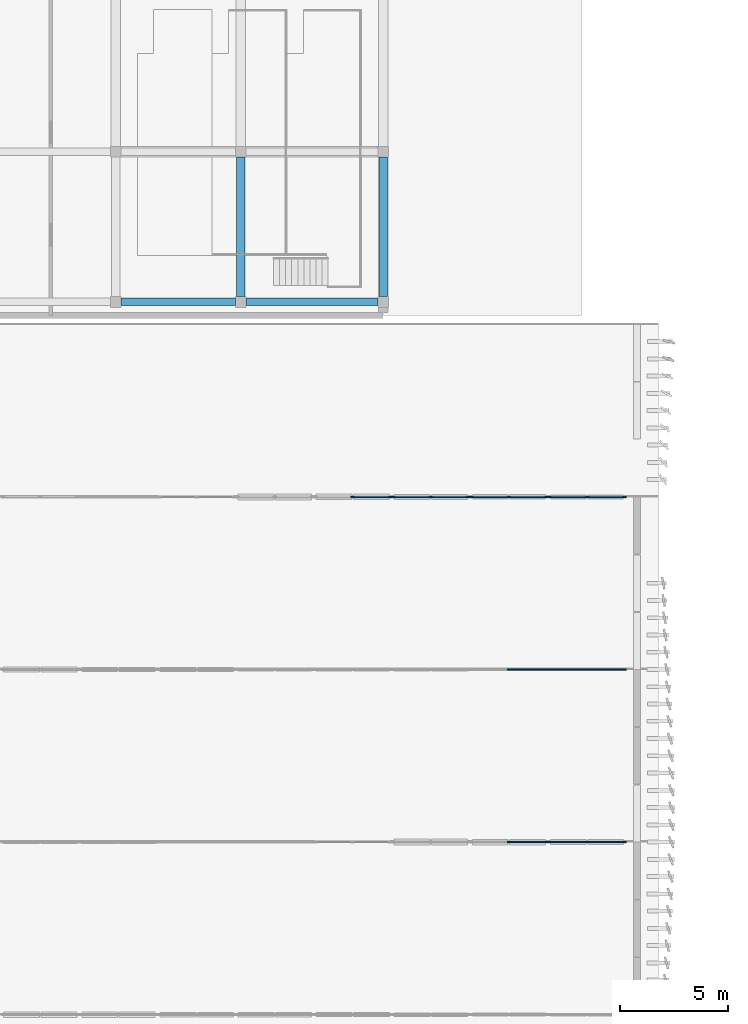
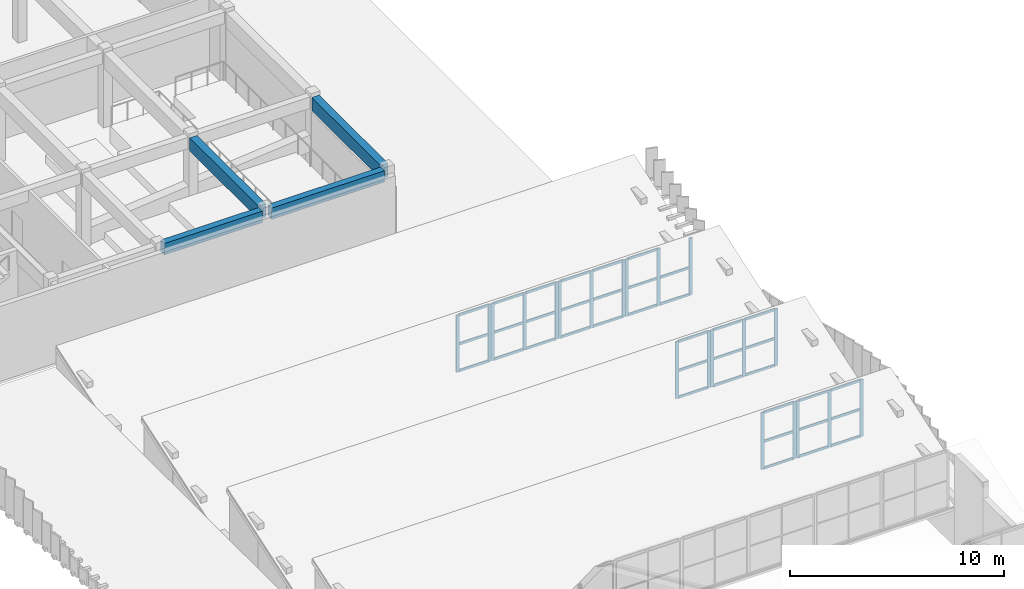
# One storey, part 10 of 45: 59 members, 4 beams, 8 elements without a shape of their own.
"""IFC4 building model written with IfcOpenShell, lengths in metres."""

import ifcopenshell
import ifcopenshell.guid

model = None  # the IFC model being written
_history = None  # IfcOwnerHistory: only IFC2X3 demands one
_inside = {}  # id of a spatial element -> (the spatial element, [elements in it])
_under = {}  # id of a project, library or spatial element -> (it, [spatial elements below it])
_declared = {}  # id of a project -> (the project, [libraries it declares])
_typed = {}  # id of a type object -> (the type object, [elements of that type])
_made_of = {}  # id of a material, layer set ... -> (it, [elements and type objects made of it])


def new_model(schema):
    """Start an empty IFC model of exactly this schema.

    Asked for "IFC4X3", IfcOpenShell would pick the latest addendum, in which some entities
    have other attributes; the version numbers below select the first issue.
    IFC2X3 requires an IfcOwnerHistory on every rooted entity: one is made here for all.
    """
    global model, _history
    if schema == "IFC4X3":
        model = ifcopenshell.file(schema_version=(4, 3, 0, 0))
    else:
        model = ifcopenshell.file(schema=schema)
    _inside.clear()
    _under.clear()
    _declared.clear()
    _typed.clear()
    _made_of.clear()
    _history = None
    if model.schema == "IFC2X3":
        org = make("IfcOrganization", Name="unknown")
        user = make(
            "IfcPersonAndOrganization",
            ThePerson=make("IfcPerson", FamilyName="unknown"),
            TheOrganization=org,
        )
        app = make(
            "IfcApplication",
            ApplicationDeveloper=org,
            Version="unknown",
            ApplicationFullName="unknown",
            ApplicationIdentifier="unknown",
        )
        _history = make(
            "IfcOwnerHistory",
            OwningUser=user,
            OwningApplication=app,
            ChangeAction="ADDED",
            CreationDate=0,
        )
    return model


def make(cls, **values):
    """One entity of the class cls with the attributes given. An attribute that is None is left unset."""
    return model.create_entity(
        cls, **{name: value for name, value in values.items() if value is not None}
    )


def rooted(cls, **values):
    """An entity with a GlobalId (a new one), such as an element, a storey or a relation."""
    return make(cls, GlobalId=ifcopenshell.guid.new(), OwnerHistory=_history, **values)


def si_unit(unit_type, name, prefix=None):
    """IfcSIUnit, for example si_unit("LENGTHUNIT", "METRE", prefix="MILLI")."""
    return make("IfcSIUnit", UnitType=unit_type, Prefix=prefix, Name=name)


def assignment(units):
    """IfcUnitAssignment: the units of a project."""
    return None if units is None else make("IfcUnitAssignment", Units=units)


def point(xyz):
    """IfcCartesianPoint."""
    return None if xyz is None else make("IfcCartesianPoint", Coordinates=xyz)


def direction(xyz):
    """IfcDirection."""
    return None if xyz is None else make("IfcDirection", DirectionRatios=xyz)


def frame(location, z_axis=None, x_axis=None):
    """IfcAxis2Placement3D, a coordinate frame: its origin and axes. An axis left out is left unset."""
    return make(
        "IfcAxis2Placement3D",
        Location=point(location),
        Axis=direction(z_axis),
        RefDirection=direction(x_axis),
    )


def frame_2d(location, x_axis=None):
    """IfcAxis2Placement2D, a coordinate frame in the plane: its origin and x axis."""
    return make(
        "IfcAxis2Placement2D", Location=point(location), RefDirection=direction(x_axis)
    )


def origin():
    """The frame at (0, 0, 0) with its axes left unset."""
    return frame((0.0, 0.0, 0.0))


def origin_2d():
    """The frame at (0, 0) in the plane with its x axis left unset."""
    return frame_2d((0.0, 0.0))


def place(relative_to, where):
    """IfcLocalPlacement: puts the frame where relative to a parent placement (None: the world)."""
    return make(
        "IfcLocalPlacement", PlacementRelTo=relative_to, RelativePlacement=where
    )


def context(
    kind, dimensions, precision=None, world=None, true_north=None, identifier=None
):
    """IfcGeometricRepresentationContext, for example the 3D "Model" context."""
    return make(
        "IfcGeometricRepresentationContext",
        ContextIdentifier=identifier,
        ContextType=kind,
        CoordinateSpaceDimension=dimensions,
        Precision=precision,
        WorldCoordinateSystem=world,
        TrueNorth=true_north,
    )


def subcontext(parent, identifier, kind, view, scale=None):
    """IfcGeometricRepresentationSubContext, for example "Body" below "Model"."""
    return make(
        "IfcGeometricRepresentationSubContext",
        ContextIdentifier=identifier,
        ContextType=kind,
        ParentContext=parent,
        TargetScale=scale,
        TargetView=view,
    )


def project(units=None, contexts=None):
    """IfcProject with its units and contexts."""
    return rooted(
        "IfcProject",
        Name="project",
        RepresentationContexts=contexts,
        UnitsInContext=assignment(units),
    )


def spatial(cls, under=None, at=None, **own):
    """A site, building, storey or space (cls), placed at a placement, below another one or the project."""
    s = rooted(cls, ObjectPlacement=at, **own)
    if under is not None:
        _under.setdefault(under.id(), (under, []))[1].append(s)
    return s


def profile(cls, at=None, kind="AREA", **sizes):
    """A parametric profile (cls). Its sizes go by their IFC names, for example OverallWidth=200.0."""
    return make(cls, ProfileType=kind, Position=at, **sizes)


def rectangle(**sizes):
    """IfcRectangleProfileDef."""
    return profile("IfcRectangleProfileDef", **sizes)


def extrude(swept, where, along, depth):
    """IfcExtrudedAreaSolid: the profile swept, set in the frame where, extruded along a direction by depth."""
    return make(
        "IfcExtrudedAreaSolid",
        SweptArea=swept,
        Position=where,
        ExtrudedDirection=direction(along),
        Depth=depth,
    )


def shape(context_of_items, identifier, shape_type, items):
    """IfcShapeRepresentation: the items that make up one representation, for example the "Body"."""
    return make(
        "IfcShapeRepresentation",
        ContextOfItems=context_of_items,
        RepresentationIdentifier=identifier,
        RepresentationType=shape_type,
        Items=items,
    )


def material(Name=None, Category=None):
    """IfcMaterial."""
    return make("IfcMaterial", Name=Name, Category=Category)


def layer(
    of_material, thickness, ventilated=None, Name=None, Category=None, Priority=None
):
    """IfcMaterialLayer: one layer of a wall or slab, of a material (None: an air gap)."""
    return make(
        "IfcMaterialLayer",
        Material=of_material,
        LayerThickness=thickness,
        IsVentilated=ventilated,
        Name=Name,
        Category=Category,
        Priority=Priority,
    )


def layer_set(layers, Name=None):
    """IfcMaterialLayerSet."""
    return make("IfcMaterialLayerSet", MaterialLayers=layers, LayerSetName=Name)


def material_profile(
    of_material, cross_section, Name=None, Category=None, Priority=None
):
    """IfcMaterialProfile: a cross section and its material."""
    return make(
        "IfcMaterialProfile",
        Name=Name,
        Material=of_material,
        Profile=cross_section,
        Priority=Priority,
        Category=Category,
    )


def profile_set(profiles, Name=None, composite=None):
    """IfcMaterialProfileSet."""
    return make(
        "IfcMaterialProfileSet",
        Name=Name,
        MaterialProfiles=profiles,
        CompositeProfile=composite,
    )


def made_of(thing, what):
    """Note that an element or type object is made of a material, layer set ...; save() writes the relation."""
    if what is not None:
        _made_of.setdefault(what.id(), (what, []))[1].append(thing)
    return thing


def type_object(cls, material=None, **own):
    """A type object (cls), such as IfcWallType, which elements share."""
    return made_of(rooted(cls, **own), material)


def element(
    cls,
    number,
    at=None,
    inside=None,
    cuts=None,
    type_object=None,
    material=None,
    context=None,
    identifier="Body",
    shape_type=None,
    held_by="IfcProductDefinitionShape",
    body=None,
    shapes=None,
    **own,
):
    """One element of the class cls, such as IfcWall. Its Tag is "e" and its number.

    at: its placement. inside: the storey or other place that contains it. cuts: it is an
    opening in that element (IfcRelVoidsElement). A single representation is given by context,
    identifier, shape_type and body (its items); several are given by shapes. held_by: the class
    of the entity that holds the representations. save() writes the other relations.
    """
    e = rooted(cls, Tag="e%d" % number, ObjectPlacement=at, **own)
    if body is not None:
        shapes = [shape(context, identifier, shape_type, body)]
    if shapes is not None:
        e.Representation = make(held_by, Representations=shapes)
    if inside is not None:
        _inside.setdefault(inside.id(), (inside, []))[1].append(e)
    if cuts is not None:
        rooted(
            "IfcRelVoidsElement", RelatingBuildingElement=cuts, RelatedOpeningElement=e
        )
    if type_object is not None:
        _typed.setdefault(type_object.id(), (type_object, []))[1].append(e)
    return made_of(e, material)


def aggregate(whole, parts):
    """IfcRelAggregates: a whole, such as a stair, and the parts it consists of."""
    return rooted("IfcRelAggregates", RelatingObject=whole, RelatedObjects=parts)


def save(model, path):
    """Write the relations noted so far, then the file.

    IfcRelAggregates (storeys below a building ...), IfcRelContainedInSpatialStructure (elements
    in a storey), IfcRelDefinesByType, IfcRelAssociatesMaterial and IfcRelDeclares: one each for
    every whole, place, type object, material and project.
    """
    for whole, parts in _under.values():
        aggregate(whole, parts)
    for where, things in _inside.values():
        rooted(
            "IfcRelContainedInSpatialStructure",
            RelatedElements=things,
            RelatingStructure=where,
        )
    for kind, things in _typed.values():
        rooted("IfcRelDefinesByType", RelatedObjects=things, RelatingType=kind)
    for what, things in _made_of.values():
        rooted("IfcRelAssociatesMaterial", RelatedObjects=things, RelatingMaterial=what)
    for by, libraries in _declared.values():
        rooted("IfcRelDeclares", RelatingContext=by, RelatedDefinitions=libraries)
    model.write(path)


model = new_model("IFC4")

# Units and contexts
model_context = context("Model", 3, precision=1e-05, world=origin(), true_north=direction((0.0, 1.0)))
body_context = subcontext(model_context, "Body", "Model", "MODEL_VIEW")
ifc_project = project(units=[si_unit("LENGTHUNIT", "METRE"), si_unit("AREAUNIT", "SQUARE_METRE"), si_unit("VOLUMEUNIT", "CUBIC_METRE"), si_unit("PLANEANGLEUNIT", "RADIAN"), si_unit("MASSUNIT", "GRAM", prefix="KILO")], contexts=[model_context])

# Site, building, storey
site_placement = place(None, origin())
site = spatial("IfcSite", under=ifc_project, at=site_placement, CompositionType="ELEMENT")
building_placement = place(site_placement, origin())
building = spatial("IfcBuilding", under=site, at=building_placement, Name="Cinchona Park Media Centre", CompositionType="ELEMENT")
storey_placement = place(building_placement, frame((0.0, 0.0, 20.39990234375)))
storey = spatial("IfcBuildingStorey", under=building, at=storey_placement, Name="L04", CompositionType="ELEMENT", Elevation=20.39990234375)

# Beams
ifc_material_1 = material(Name="Concrete C35/45", Category="concrete")
ifc_material_profile_1 = material_profile(ifc_material_1, rectangle(XDim=0.39990234375, YDim=0.75, at=origin_2d()), Name="RB 400X750")
ifc_profile_set_1 = profile_set([ifc_material_profile_1], Name="Concrete C35/45")
beam_type_1 = type_object("IfcBeamType", Name="BEAM-B01-RB400X750", PredefinedType="BEAM", material=ifc_profile_set_1)
for number, where, z_axis, x_axis, name in (
    (1, (27.0, 64.889892578125, 3.905029296875), (0.0, 1.0, 0.0), (-1.0, 0.0, 0.0), "Girder B01 L04"),
    (2, (33.60009765625, 64.889892578125, 3.905029296875), (0.0, 1.0, 0.0), (-1.0, 0.0, 0.0), "Girder B01 L04"),
):
    element("IfcBeam", number, at=place(storey_placement, frame(where, z_axis=z_axis, x_axis=x_axis)), inside=storey, type_object=beam_type_1, Name=name, PredefinedType="BEAM", context=body_context, shape_type="SweptSolid", body=[
        extrude(rectangle(XDim=0.39990234375, YDim=0.75, at=origin_2d()), origin(), (0.0, 0.0, 1.0), 6.460205078125),
    ])
ifc_material_2 = material(Name="Concrete C35/45", Category="concrete")
ifc_material_profile_2 = material_profile(ifc_material_2, rectangle(XDim=0.35009765625, YDim=0.64990234375, at=origin_2d()), Name="RB 350X650")
ifc_profile_set_2 = profile_set([ifc_material_profile_2], Name="Concrete C35/45")
beam_type_2 = type_object("IfcBeamType", Name="BEAM-B04-RB350X650", PredefinedType="BEAM", material=ifc_profile_set_2)
beam_1_placement = place(storey_placement, frame((21.449951171875, 64.639892578125, 3.955078125), z_axis=(1.0, 0.0, 0.0), x_axis=(0.0, 1.0, 0.0)))
element("IfcBeam", 3, at=beam_1_placement, inside=storey, type_object=beam_type_2, Name="Beam B04 L04", PredefinedType="BEAM", context=body_context, shape_type="SweptSolid", body=[
    extrude(rectangle(XDim=0.35009765625, YDim=0.64990234375, at=origin_2d()), origin(), (0.0, 0.0, 1.0), 5.300048828125),
])
beam_2_placement = place(storey_placement, frame((27.25, 64.639892578125, 3.955078125), z_axis=(1.0, 0.0, 0.0), x_axis=(0.0, 1.0, 0.0)))
element("IfcBeam", 4, at=beam_2_placement, inside=storey, type_object=beam_type_2, Name="Beam B04 L04", PredefinedType="BEAM", context=body_context, shape_type="SweptSolid", body=[
    extrude(rectangle(XDim=0.35009765625, YDim=0.64990234375, at=origin_2d()), origin(), (0.0, 0.0, 1.0), 6.10009765625),
])

# Curtain wall, members
ifc_material_3 = material(Name="Aluminium Curtain Wall Framing", Category="aluminium")
ifc_layer = layer(ifc_material_3, 0.31494140625)
ifc_layer_set = layer_set([ifc_layer], Name="Aluminium Curtain Wall Framing")
curtain_wall_type = type_object("IfcCurtainWallType", Name="CW-CW10", PredefinedType="USERDEFINED", material=ifc_layer_set)
curtain_wall_1_placement = place(storey_placement, origin())
curtain_wall_1 = element("IfcCurtainWall", 5, at=curtain_wall_1_placement, inside=storey, type_object=curtain_wall_type, Name="North-Light Sawtooth Clerestory V1 Bay 4.1 CW10 L04", ObjectType="UNITISED CURTAIN WALL", PredefinedType="USERDEFINED")
ifc_material_4 = material(Name="Anodised Aluminium Alloy 6063-T6", Category="aluminium")
ifc_material_profile_3 = material_profile(ifc_material_4, rectangle(XDim=0.070068359375, YDim=0.179931640625, at=origin_2d()), Name="MUL-70X180")
ifc_profile_set_3 = profile_set([ifc_material_profile_3], Name="Anodised Aluminium Alloy 6063-T6")
member_type_1 = type_object("IfcMemberType", Name="MULLION-MUL02", PredefinedType="MULLION", material=ifc_profile_set_3)
member_1_placement = place(storey_placement, frame((44.784912109375, 39.60009765625, 0.18017578125), z_axis=(0.0, 0.0, 1.0), x_axis=(0.0, -1.0, 0.0)))
member_1 = element("IfcMember", 6, at=member_1_placement, type_object=member_type_1, Name="CW10 mullion 1", PredefinedType="MULLION", context=body_context, shape_type="SweptSolid", body=[
    extrude(rectangle(XDim=0.070068359375, YDim=0.179931640625, at=origin_2d()), origin(), (0.0, 0.0, 1.0), 3.2568359375),
])
member_2_placement = place(storey_placement, frame((43.050048828125, 39.60009765625, 0.18017578125), z_axis=(0.0, 0.0, 1.0), x_axis=(0.0, -1.0, 0.0)))
member_2 = element("IfcMember", 7, at=member_2_placement, type_object=member_type_1, Name="CW10 mullion 2", PredefinedType="MULLION", context=body_context, shape_type="SweptSolid", body=[
    extrude(rectangle(XDim=0.070068359375, YDim=0.179931640625, at=origin_2d()), origin(), (0.0, 0.0, 1.0), 3.2568359375),
])
member_3_placement = place(storey_placement, frame((41.31494140625, 39.60009765625, 0.18017578125), z_axis=(0.0, 0.0, 1.0), x_axis=(0.0, -1.0, 0.0)))
member_3 = element("IfcMember", 8, at=member_3_placement, type_object=member_type_1, Name="CW10 mullion 3", PredefinedType="MULLION", context=body_context, shape_type="SweptSolid", body=[
    extrude(rectangle(XDim=0.070068359375, YDim=0.179931640625, at=origin_2d()), origin(), (0.0, 0.0, 1.0), 3.2568359375),
])

curtain_wall_2_placement = place(storey_placement, origin())
curtain_wall_2 = element("IfcCurtainWall", 9, at=curtain_wall_2_placement, inside=storey, type_object=curtain_wall_type, Name="North-Light Sawtooth Clerestory V1 Bay 4.2 CW10 L04", ObjectType="UNITISED CURTAIN WALL", PredefinedType="USERDEFINED")
member_4_placement = place(storey_placement, frame((41.1650390625, 39.60009765625, 0.18017578125), z_axis=(0.0, 0.0, 1.0), x_axis=(0.0, -1.0, 0.0)))
member_4 = element("IfcMember", 10, at=member_4_placement, type_object=member_type_1, Name="CW10 mullion 1", PredefinedType="MULLION", context=body_context, shape_type="SweptSolid", body=[
    extrude(rectangle(XDim=0.070068359375, YDim=0.179931640625, at=origin_2d()), origin(), (0.0, 0.0, 1.0), 3.2568359375),
])
member_5_placement = place(storey_placement, frame((39.429931640625, 39.60009765625, 0.18017578125), z_axis=(0.0, 0.0, 1.0), x_axis=(0.0, -1.0, 0.0)))
member_5 = element("IfcMember", 11, at=member_5_placement, type_object=member_type_1, Name="CW10 mullion 2", PredefinedType="MULLION", context=body_context, shape_type="SweptSolid", body=[
    extrude(rectangle(XDim=0.070068359375, YDim=0.179931640625, at=origin_2d()), origin(), (0.0, 0.0, 1.0), 3.2568359375),
])

curtain_wall_3_placement = place(storey_placement, origin())
curtain_wall_3 = element("IfcCurtainWall", 12, at=curtain_wall_3_placement, inside=storey, type_object=curtain_wall_type, Name="North-Light Sawtooth Clerestory V1 Bay 5.1 CW10 L04", ObjectType="UNITISED CURTAIN WALL", PredefinedType="USERDEFINED")
member_6_placement = place(storey_placement, frame((44.784912109375, 47.60009765625, -0.619873046875), z_axis=(0.0, 0.0, 1.0), x_axis=(0.0, -1.0, 0.0)))
member_6 = element("IfcMember", 13, at=member_6_placement, type_object=member_type_1, Name="CW10 mullion 1", PredefinedType="MULLION", context=body_context, shape_type="SweptSolid", body=[
    extrude(rectangle(XDim=0.070068359375, YDim=0.179931640625, at=origin_2d()), origin(), (0.0, 0.0, 1.0), 3.257080078125),
])
member_7_placement = place(storey_placement, frame((43.050048828125, 47.60009765625, -0.619873046875), z_axis=(0.0, 0.0, 1.0), x_axis=(0.0, -1.0, 0.0)))
member_7 = element("IfcMember", 14, at=member_7_placement, type_object=member_type_1, Name="CW10 mullion 2", PredefinedType="MULLION", context=body_context, shape_type="SweptSolid", body=[
    extrude(rectangle(XDim=0.070068359375, YDim=0.179931640625, at=origin_2d()), origin(), (0.0, 0.0, 1.0), 3.257080078125),
])
member_8_placement = place(storey_placement, frame((41.31494140625, 47.60009765625, -0.619873046875), z_axis=(0.0, 0.0, 1.0), x_axis=(0.0, -1.0, 0.0)))
member_8 = element("IfcMember", 15, at=member_8_placement, type_object=member_type_1, Name="CW10 mullion 3", PredefinedType="MULLION", context=body_context, shape_type="SweptSolid", body=[
    extrude(rectangle(XDim=0.070068359375, YDim=0.179931640625, at=origin_2d()), origin(), (0.0, 0.0, 1.0), 3.257080078125),
])

curtain_wall_4_placement = place(storey_placement, origin())
curtain_wall_4 = element("IfcCurtainWall", 16, at=curtain_wall_4_placement, inside=storey, type_object=curtain_wall_type, Name="North-Light Sawtooth Clerestory V1 Bay 5.2 CW10 L04", ObjectType="UNITISED CURTAIN WALL", PredefinedType="USERDEFINED")
member_9_placement = place(storey_placement, frame((41.1650390625, 47.60009765625, -0.619873046875), z_axis=(0.0, 0.0, 1.0), x_axis=(0.0, -1.0, 0.0)))
member_9 = element("IfcMember", 17, at=member_9_placement, type_object=member_type_1, Name="CW10 mullion 1", PredefinedType="MULLION", context=body_context, shape_type="SweptSolid", body=[
    extrude(rectangle(XDim=0.070068359375, YDim=0.179931640625, at=origin_2d()), origin(), (0.0, 0.0, 1.0), 3.257080078125),
])
member_10_placement = place(storey_placement, frame((39.429931640625, 47.60009765625, -0.619873046875), z_axis=(0.0, 0.0, 1.0), x_axis=(0.0, -1.0, 0.0)))
member_10 = element("IfcMember", 18, at=member_10_placement, type_object=member_type_1, Name="CW10 mullion 2", PredefinedType="MULLION", context=body_context, shape_type="SweptSolid", body=[
    extrude(rectangle(XDim=0.070068359375, YDim=0.179931640625, at=origin_2d()), origin(), (0.0, 0.0, 1.0), 3.257080078125),
])

curtain_wall_5_placement = place(storey_placement, origin())
curtain_wall_5 = element("IfcCurtainWall", 19, at=curtain_wall_5_placement, inside=storey, type_object=curtain_wall_type, Name="North-Light Sawtooth Clerestory V1 Bay 6.1 CW10 L04", ObjectType="UNITISED CURTAIN WALL", PredefinedType="USERDEFINED")
member_11_placement = place(storey_placement, frame((44.784912109375, 55.60009765625, -1.419921875), z_axis=(0.0, 0.0, 1.0), x_axis=(0.0, -1.0, 0.0)))
member_11 = element("IfcMember", 20, at=member_11_placement, type_object=member_type_1, Name="CW10 mullion 1", PredefinedType="MULLION", context=body_context, shape_type="SweptSolid", body=[
    extrude(rectangle(XDim=0.070068359375, YDim=0.179931640625, at=origin_2d()), origin(), (0.0, 0.0, 1.0), 3.257080078125),
])
member_12_placement = place(storey_placement, frame((43.050048828125, 55.60009765625, -1.419921875), z_axis=(0.0, 0.0, 1.0), x_axis=(0.0, -1.0, 0.0)))
member_12 = element("IfcMember", 21, at=member_12_placement, type_object=member_type_1, Name="CW10 mullion 2", PredefinedType="MULLION", context=body_context, shape_type="SweptSolid", body=[
    extrude(rectangle(XDim=0.070068359375, YDim=0.179931640625, at=origin_2d()), origin(), (0.0, 0.0, 1.0), 3.257080078125),
])
member_13_placement = place(storey_placement, frame((41.31494140625, 55.60009765625, -1.419921875), z_axis=(0.0, 0.0, 1.0), x_axis=(0.0, -1.0, 0.0)))
member_13 = element("IfcMember", 22, at=member_13_placement, type_object=member_type_1, Name="CW10 mullion 3", PredefinedType="MULLION", context=body_context, shape_type="SweptSolid", body=[
    extrude(rectangle(XDim=0.070068359375, YDim=0.179931640625, at=origin_2d()), origin(), (0.0, 0.0, 1.0), 3.257080078125),
])

curtain_wall_6_placement = place(storey_placement, origin())
curtain_wall_6 = element("IfcCurtainWall", 23, at=curtain_wall_6_placement, inside=storey, type_object=curtain_wall_type, Name="North-Light Sawtooth Clerestory V1 Bay 6.2 CW10 L04", ObjectType="UNITISED CURTAIN WALL", PredefinedType="USERDEFINED")
member_14_placement = place(storey_placement, frame((41.1650390625, 55.60009765625, -1.419921875), z_axis=(0.0, 0.0, 1.0), x_axis=(0.0, -1.0, 0.0)))
member_14 = element("IfcMember", 24, at=member_14_placement, type_object=member_type_1, Name="CW10 mullion 1", PredefinedType="MULLION", context=body_context, shape_type="SweptSolid", body=[
    extrude(rectangle(XDim=0.070068359375, YDim=0.179931640625, at=origin_2d()), origin(), (0.0, 0.0, 1.0), 3.257080078125),
])
member_15_placement = place(storey_placement, frame((39.429931640625, 55.60009765625, -1.419921875), z_axis=(0.0, 0.0, 1.0), x_axis=(0.0, -1.0, 0.0)))
member_15 = element("IfcMember", 25, at=member_15_placement, type_object=member_type_1, Name="CW10 mullion 2", PredefinedType="MULLION", context=body_context, shape_type="SweptSolid", body=[
    extrude(rectangle(XDim=0.070068359375, YDim=0.179931640625, at=origin_2d()), origin(), (0.0, 0.0, 1.0), 3.257080078125),
])
member_16_placement = place(storey_placement, frame((37.695068359375, 55.60009765625, -1.419921875), z_axis=(0.0, 0.0, 1.0), x_axis=(0.0, -1.0, 0.0)))
member_16 = element("IfcMember", 26, at=member_16_placement, type_object=member_type_1, Name="CW10 mullion 3", PredefinedType="MULLION", context=body_context, shape_type="SweptSolid", body=[
    extrude(rectangle(XDim=0.070068359375, YDim=0.179931640625, at=origin_2d()), origin(), (0.0, 0.0, 1.0), 3.257080078125),
])

curtain_wall_7_placement = place(storey_placement, origin())
curtain_wall_7 = element("IfcCurtainWall", 27, at=curtain_wall_7_placement, inside=storey, type_object=curtain_wall_type, Name="North-Light Sawtooth Clerestory V1 Bay 6.3 CW10 L04", ObjectType="UNITISED CURTAIN WALL", PredefinedType="USERDEFINED")
member_17_placement = place(storey_placement, frame((37.544921875, 55.60009765625, -1.419921875), z_axis=(0.0, 0.0, 1.0), x_axis=(0.0, -1.0, 0.0)))
member_17 = element("IfcMember", 28, at=member_17_placement, type_object=member_type_1, Name="CW10 mullion 1", PredefinedType="MULLION", context=body_context, shape_type="SweptSolid", body=[
    extrude(rectangle(XDim=0.070068359375, YDim=0.179931640625, at=origin_2d()), origin(), (0.0, 0.0, 1.0), 3.257080078125),
])
member_18_placement = place(storey_placement, frame((35.81005859375, 55.60009765625, -1.419921875), z_axis=(0.0, 0.0, 1.0), x_axis=(0.0, -1.0, 0.0)))
member_18 = element("IfcMember", 29, at=member_18_placement, type_object=member_type_1, Name="CW10 mullion 2", PredefinedType="MULLION", context=body_context, shape_type="SweptSolid", body=[
    extrude(rectangle(XDim=0.070068359375, YDim=0.179931640625, at=origin_2d()), origin(), (0.0, 0.0, 1.0), 3.257080078125),
])
member_19_placement = place(storey_placement, frame((34.074951171875, 55.60009765625, -1.419921875), z_axis=(0.0, 0.0, 1.0), x_axis=(0.0, -1.0, 0.0)))
member_19 = element("IfcMember", 30, at=member_19_placement, type_object=member_type_1, Name="CW10 mullion 3", PredefinedType="MULLION", context=body_context, shape_type="SweptSolid", body=[
    extrude(rectangle(XDim=0.070068359375, YDim=0.179931640625, at=origin_2d()), origin(), (0.0, 0.0, 1.0), 3.257080078125),
])

curtain_wall_8_placement = place(storey_placement, origin())
curtain_wall_8 = element("IfcCurtainWall", 31, at=curtain_wall_8_placement, inside=storey, type_object=curtain_wall_type, Name="North-Light Sawtooth Clerestory V1 Bay 6.4 CW10 L04", ObjectType="UNITISED CURTAIN WALL", PredefinedType="USERDEFINED")
member_20_placement = place(storey_placement, frame((33.925048828125, 55.60009765625, -1.419921875), z_axis=(0.0, 0.0, 1.0), x_axis=(0.0, -1.0, 0.0)))
member_20 = element("IfcMember", 32, at=member_20_placement, type_object=member_type_1, Name="CW10 mullion 1", PredefinedType="MULLION", context=body_context, shape_type="SweptSolid", body=[
    extrude(rectangle(XDim=0.070068359375, YDim=0.179931640625, at=origin_2d()), origin(), (0.0, 0.0, 1.0), 3.257080078125),
])
member_21_placement = place(storey_placement, frame((32.18994140625, 55.60009765625, -1.419921875), z_axis=(0.0, 0.0, 1.0), x_axis=(0.0, -1.0, 0.0)))
member_21 = element("IfcMember", 33, at=member_21_placement, type_object=member_type_1, Name="CW10 mullion 2", PredefinedType="MULLION", context=body_context, shape_type="SweptSolid", body=[
    extrude(rectangle(XDim=0.070068359375, YDim=0.179931640625, at=origin_2d()), origin(), (0.0, 0.0, 1.0), 3.257080078125),
])

# Member
ifc_material_5 = material(Name="Anodised Aluminium Alloy 6063-T6", Category="aluminium")
ifc_material_profile_4 = material_profile(ifc_material_5, rectangle(XDim=0.070068359375, YDim=0.139892578125, at=origin_2d()), Name="TRN-70X140")
ifc_profile_set_4 = profile_set([ifc_material_profile_4], Name="Anodised Aluminium Alloy 6063-T6")
member_type_2 = type_object("IfcMemberType", Name="TRANSOM-TRN02", PredefinedType="USERDEFINED", material=ifc_profile_set_4)
member_22_placement = place(storey_placement, frame((44.75, 39.60009765625, 0.215087890625), z_axis=(-1.0, 0.0, 0.0), x_axis=(0.0, -1.0, 0.0)))
member_22 = element("IfcMember", 34, at=member_22_placement, type_object=member_type_2, Name="CW10 transom 1.1", ObjectType="TRANSOM", PredefinedType="USERDEFINED", context=body_context, shape_type="SweptSolid", body=[
    extrude(rectangle(XDim=0.070068359375, YDim=0.139892578125, at=origin_2d()), origin(), (0.0, 0.0, 1.0), 1.6650390625),
])

member_23_placement = place(storey_placement, frame((44.75, 39.60009765625, 1.7431640625), z_axis=(-1.0, 0.0, 0.0), x_axis=(0.0, -1.0, 0.0)))
member_23 = element("IfcMember", 35, at=member_23_placement, type_object=member_type_2, Name="CW10 transom 1.2", ObjectType="TRANSOM", PredefinedType="USERDEFINED", context=body_context, shape_type="SweptSolid", body=[
    extrude(rectangle(XDim=0.070068359375, YDim=0.139892578125, at=origin_2d()), origin(), (0.0, 0.0, 1.0), 1.6650390625),
])

member_24_placement = place(storey_placement, frame((44.75, 39.60009765625, 3.402099609375), z_axis=(-1.0, 0.0, 0.0), x_axis=(0.0, -1.0, 0.0)))
member_24 = element("IfcMember", 36, at=member_24_placement, type_object=member_type_2, Name="CW10 transom 1.3", ObjectType="TRANSOM", PredefinedType="USERDEFINED", context=body_context, shape_type="SweptSolid", body=[
    extrude(rectangle(XDim=0.070068359375, YDim=0.139892578125, at=origin_2d()), origin(), (0.0, 0.0, 1.0), 1.6650390625),
])

member_25_placement = place(storey_placement, frame((43.014892578125, 39.60009765625, 0.215087890625), z_axis=(-1.0, 0.0, 0.0), x_axis=(0.0, -1.0, 0.0)))
member_25 = element("IfcMember", 37, at=member_25_placement, type_object=member_type_2, Name="CW10 transom 2.1", ObjectType="TRANSOM", PredefinedType="USERDEFINED", context=body_context, shape_type="SweptSolid", body=[
    extrude(rectangle(XDim=0.070068359375, YDim=0.139892578125, at=origin_2d()), origin(), (0.0, 0.0, 1.0), 1.664794921875),
])

member_26_placement = place(storey_placement, frame((43.014892578125, 39.60009765625, 1.7431640625), z_axis=(-1.0, 0.0, 0.0), x_axis=(0.0, -1.0, 0.0)))
member_26 = element("IfcMember", 38, at=member_26_placement, type_object=member_type_2, Name="CW10 transom 2.2", ObjectType="TRANSOM", PredefinedType="USERDEFINED", context=body_context, shape_type="SweptSolid", body=[
    extrude(rectangle(XDim=0.070068359375, YDim=0.139892578125, at=origin_2d()), origin(), (0.0, 0.0, 1.0), 1.664794921875),
])

member_27_placement = place(storey_placement, frame((43.014892578125, 39.60009765625, 3.402099609375), z_axis=(-1.0, 0.0, 0.0), x_axis=(0.0, -1.0, 0.0)))
member_27 = element("IfcMember", 39, at=member_27_placement, type_object=member_type_2, Name="CW10 transom 2.3", ObjectType="TRANSOM", PredefinedType="USERDEFINED", context=body_context, shape_type="SweptSolid", body=[
    extrude(rectangle(XDim=0.070068359375, YDim=0.139892578125, at=origin_2d()), origin(), (0.0, 0.0, 1.0), 1.664794921875),
])

aggregate(curtain_wall_1, [member_1, member_2, member_3, member_22, member_23, member_24, member_25, member_26, member_27])

member_28_placement = place(storey_placement, frame((41.1298828125, 39.60009765625, 0.215087890625), z_axis=(-1.0, 0.0, 0.0), x_axis=(0.0, -1.0, 0.0)))
member_28 = element("IfcMember", 40, at=member_28_placement, type_object=member_type_2, Name="CW10 transom 1.1", ObjectType="TRANSOM", PredefinedType="USERDEFINED", context=body_context, shape_type="SweptSolid", body=[
    extrude(rectangle(XDim=0.070068359375, YDim=0.139892578125, at=origin_2d()), origin(), (0.0, 0.0, 1.0), 1.664794921875),
])

member_29_placement = place(storey_placement, frame((41.1298828125, 39.60009765625, 1.7431640625), z_axis=(-1.0, 0.0, 0.0), x_axis=(0.0, -1.0, 0.0)))
member_29 = element("IfcMember", 41, at=member_29_placement, type_object=member_type_2, Name="CW10 transom 1.2", ObjectType="TRANSOM", PredefinedType="USERDEFINED", context=body_context, shape_type="SweptSolid", body=[
    extrude(rectangle(XDim=0.070068359375, YDim=0.139892578125, at=origin_2d()), origin(), (0.0, 0.0, 1.0), 1.664794921875),
])

member_30_placement = place(storey_placement, frame((41.1298828125, 39.60009765625, 3.402099609375), z_axis=(-1.0, 0.0, 0.0), x_axis=(0.0, -1.0, 0.0)))
member_30 = element("IfcMember", 42, at=member_30_placement, type_object=member_type_2, Name="CW10 transom 1.3", ObjectType="TRANSOM", PredefinedType="USERDEFINED", context=body_context, shape_type="SweptSolid", body=[
    extrude(rectangle(XDim=0.070068359375, YDim=0.139892578125, at=origin_2d()), origin(), (0.0, 0.0, 1.0), 1.664794921875),
])

aggregate(curtain_wall_2, [member_4, member_5, member_28, member_29, member_30])

member_31_placement = place(storey_placement, frame((44.75, 47.60009765625, -0.5849609375), z_axis=(-1.0, 0.0, 0.0), x_axis=(0.0, -1.0, 0.0)))
member_31 = element("IfcMember", 43, at=member_31_placement, type_object=member_type_2, Name="CW10 transom 1.1", ObjectType="TRANSOM", PredefinedType="USERDEFINED", context=body_context, shape_type="SweptSolid", body=[
    extrude(rectangle(XDim=0.070068359375, YDim=0.139892578125, at=origin_2d()), origin(), (0.0, 0.0, 1.0), 1.6650390625),
])

member_32_placement = place(storey_placement, frame((44.75, 47.60009765625, 0.943115234375), z_axis=(-1.0, 0.0, 0.0), x_axis=(0.0, -1.0, 0.0)))
member_32 = element("IfcMember", 44, at=member_32_placement, type_object=member_type_2, Name="CW10 transom 1.2", ObjectType="TRANSOM", PredefinedType="USERDEFINED", context=body_context, shape_type="SweptSolid", body=[
    extrude(rectangle(XDim=0.070068359375, YDim=0.139892578125, at=origin_2d()), origin(), (0.0, 0.0, 1.0), 1.6650390625),
])

member_33_placement = place(storey_placement, frame((44.75, 47.60009765625, 2.60205078125), z_axis=(-1.0, 0.0, 0.0), x_axis=(0.0, -1.0, 0.0)))
member_33 = element("IfcMember", 45, at=member_33_placement, type_object=member_type_2, Name="CW10 transom 1.3", ObjectType="TRANSOM", PredefinedType="USERDEFINED", context=body_context, shape_type="SweptSolid", body=[
    extrude(rectangle(XDim=0.070068359375, YDim=0.139892578125, at=origin_2d()), origin(), (0.0, 0.0, 1.0), 1.6650390625),
])

member_34_placement = place(storey_placement, frame((43.014892578125, 47.60009765625, -0.5849609375), z_axis=(-1.0, 0.0, 0.0), x_axis=(0.0, -1.0, 0.0)))
member_34 = element("IfcMember", 46, at=member_34_placement, type_object=member_type_2, Name="CW10 transom 2.1", ObjectType="TRANSOM", PredefinedType="USERDEFINED", context=body_context, shape_type="SweptSolid", body=[
    extrude(rectangle(XDim=0.070068359375, YDim=0.139892578125, at=origin_2d()), origin(), (0.0, 0.0, 1.0), 1.664794921875),
])

member_35_placement = place(storey_placement, frame((43.014892578125, 47.60009765625, 0.943115234375), z_axis=(-1.0, 0.0, 0.0), x_axis=(0.0, -1.0, 0.0)))
member_35 = element("IfcMember", 47, at=member_35_placement, type_object=member_type_2, Name="CW10 transom 2.2", ObjectType="TRANSOM", PredefinedType="USERDEFINED", context=body_context, shape_type="SweptSolid", body=[
    extrude(rectangle(XDim=0.070068359375, YDim=0.139892578125, at=origin_2d()), origin(), (0.0, 0.0, 1.0), 1.664794921875),
])

member_36_placement = place(storey_placement, frame((43.014892578125, 47.60009765625, 2.60205078125), z_axis=(-1.0, 0.0, 0.0), x_axis=(0.0, -1.0, 0.0)))
member_36 = element("IfcMember", 48, at=member_36_placement, type_object=member_type_2, Name="CW10 transom 2.3", ObjectType="TRANSOM", PredefinedType="USERDEFINED", context=body_context, shape_type="SweptSolid", body=[
    extrude(rectangle(XDim=0.070068359375, YDim=0.139892578125, at=origin_2d()), origin(), (0.0, 0.0, 1.0), 1.664794921875),
])

aggregate(curtain_wall_3, [member_6, member_7, member_8, member_31, member_32, member_33, member_34, member_35, member_36])

member_37_placement = place(storey_placement, frame((41.1298828125, 47.60009765625, -0.5849609375), z_axis=(-1.0, 0.0, 0.0), x_axis=(0.0, -1.0, 0.0)))
member_37 = element("IfcMember", 49, at=member_37_placement, type_object=member_type_2, Name="CW10 transom 1.1", ObjectType="TRANSOM", PredefinedType="USERDEFINED", context=body_context, shape_type="SweptSolid", body=[
    extrude(rectangle(XDim=0.070068359375, YDim=0.139892578125, at=origin_2d()), origin(), (0.0, 0.0, 1.0), 1.664794921875),
])

member_38_placement = place(storey_placement, frame((41.1298828125, 47.60009765625, 0.943115234375), z_axis=(-1.0, 0.0, 0.0), x_axis=(0.0, -1.0, 0.0)))
member_38 = element("IfcMember", 50, at=member_38_placement, type_object=member_type_2, Name="CW10 transom 1.2", ObjectType="TRANSOM", PredefinedType="USERDEFINED", context=body_context, shape_type="SweptSolid", body=[
    extrude(rectangle(XDim=0.070068359375, YDim=0.139892578125, at=origin_2d()), origin(), (0.0, 0.0, 1.0), 1.664794921875),
])

member_39_placement = place(storey_placement, frame((41.1298828125, 47.60009765625, 2.60205078125), z_axis=(-1.0, 0.0, 0.0), x_axis=(0.0, -1.0, 0.0)))
member_39 = element("IfcMember", 51, at=member_39_placement, type_object=member_type_2, Name="CW10 transom 1.3", ObjectType="TRANSOM", PredefinedType="USERDEFINED", context=body_context, shape_type="SweptSolid", body=[
    extrude(rectangle(XDim=0.070068359375, YDim=0.139892578125, at=origin_2d()), origin(), (0.0, 0.0, 1.0), 1.664794921875),
])

aggregate(curtain_wall_4, [member_9, member_10, member_37, member_38, member_39])

member_40_placement = place(storey_placement, frame((44.75, 55.60009765625, -1.385009765625), z_axis=(-1.0, 0.0, 0.0), x_axis=(0.0, -1.0, 0.0)))
member_40 = element("IfcMember", 52, at=member_40_placement, type_object=member_type_2, Name="CW10 transom 1.1", ObjectType="TRANSOM", PredefinedType="USERDEFINED", context=body_context, shape_type="SweptSolid", body=[
    extrude(rectangle(XDim=0.070068359375, YDim=0.139892578125, at=origin_2d()), origin(), (0.0, 0.0, 1.0), 1.6650390625),
])

member_41_placement = place(storey_placement, frame((44.75, 55.60009765625, 0.14306640625), z_axis=(-1.0, 0.0, 0.0), x_axis=(0.0, -1.0, 0.0)))
member_41 = element("IfcMember", 53, at=member_41_placement, type_object=member_type_2, Name="CW10 transom 1.2", ObjectType="TRANSOM", PredefinedType="USERDEFINED", context=body_context, shape_type="SweptSolid", body=[
    extrude(rectangle(XDim=0.070068359375, YDim=0.139892578125, at=origin_2d()), origin(), (0.0, 0.0, 1.0), 1.6650390625),
])

member_42_placement = place(storey_placement, frame((43.014892578125, 55.60009765625, -1.385009765625), z_axis=(-1.0, 0.0, 0.0), x_axis=(0.0, -1.0, 0.0)))
member_42 = element("IfcMember", 54, at=member_42_placement, type_object=member_type_2, Name="CW10 transom 2.1", ObjectType="TRANSOM", PredefinedType="USERDEFINED", context=body_context, shape_type="SweptSolid", body=[
    extrude(rectangle(XDim=0.070068359375, YDim=0.139892578125, at=origin_2d()), origin(), (0.0, 0.0, 1.0), 1.664794921875),
])

member_43_placement = place(storey_placement, frame((43.014892578125, 55.60009765625, 0.14306640625), z_axis=(-1.0, 0.0, 0.0), x_axis=(0.0, -1.0, 0.0)))
member_43 = element("IfcMember", 55, at=member_43_placement, type_object=member_type_2, Name="CW10 transom 2.2", ObjectType="TRANSOM", PredefinedType="USERDEFINED", context=body_context, shape_type="SweptSolid", body=[
    extrude(rectangle(XDim=0.070068359375, YDim=0.139892578125, at=origin_2d()), origin(), (0.0, 0.0, 1.0), 1.664794921875),
])

member_44_placement = place(storey_placement, frame((43.014892578125, 55.60009765625, 1.802001953125), z_axis=(-1.0, 0.0, 0.0), x_axis=(0.0, -1.0, 0.0)))
member_44 = element("IfcMember", 56, at=member_44_placement, type_object=member_type_2, Name="CW10 transom 2.3", ObjectType="TRANSOM", PredefinedType="USERDEFINED", context=body_context, shape_type="SweptSolid", body=[
    extrude(rectangle(XDim=0.070068359375, YDim=0.139892578125, at=origin_2d()), origin(), (0.0, 0.0, 1.0), 1.664794921875),
])

aggregate(curtain_wall_5, [member_11, member_12, member_13, member_40, member_41, member_42, member_43, member_44])

member_45_placement = place(storey_placement, frame((41.1298828125, 55.60009765625, -1.385009765625), z_axis=(-1.0, 0.0, 0.0), x_axis=(0.0, -1.0, 0.0)))
member_45 = element("IfcMember", 57, at=member_45_placement, type_object=member_type_2, Name="CW10 transom 1.1", ObjectType="TRANSOM", PredefinedType="USERDEFINED", context=body_context, shape_type="SweptSolid", body=[
    extrude(rectangle(XDim=0.070068359375, YDim=0.139892578125, at=origin_2d()), origin(), (0.0, 0.0, 1.0), 1.664794921875),
])

member_46_placement = place(storey_placement, frame((41.1298828125, 55.60009765625, 0.14306640625), z_axis=(-1.0, 0.0, 0.0), x_axis=(0.0, -1.0, 0.0)))
member_46 = element("IfcMember", 58, at=member_46_placement, type_object=member_type_2, Name="CW10 transom 1.2", ObjectType="TRANSOM", PredefinedType="USERDEFINED", context=body_context, shape_type="SweptSolid", body=[
    extrude(rectangle(XDim=0.070068359375, YDim=0.139892578125, at=origin_2d()), origin(), (0.0, 0.0, 1.0), 1.664794921875),
])

member_47_placement = place(storey_placement, frame((41.1298828125, 55.60009765625, 1.802001953125), z_axis=(-1.0, 0.0, 0.0), x_axis=(0.0, -1.0, 0.0)))
member_47 = element("IfcMember", 59, at=member_47_placement, type_object=member_type_2, Name="CW10 transom 1.3", ObjectType="TRANSOM", PredefinedType="USERDEFINED", context=body_context, shape_type="SweptSolid", body=[
    extrude(rectangle(XDim=0.070068359375, YDim=0.139892578125, at=origin_2d()), origin(), (0.0, 0.0, 1.0), 1.664794921875),
])

member_48_placement = place(storey_placement, frame((39.39501953125, 55.60009765625, -1.385009765625), z_axis=(-1.0, 0.0, 0.0), x_axis=(0.0, -1.0, 0.0)))
member_48 = element("IfcMember", 60, at=member_48_placement, type_object=member_type_2, Name="CW10 transom 2.1", ObjectType="TRANSOM", PredefinedType="USERDEFINED", context=body_context, shape_type="SweptSolid", body=[
    extrude(rectangle(XDim=0.070068359375, YDim=0.139892578125, at=origin_2d()), origin(), (0.0, 0.0, 1.0), 1.6650390625),
])

member_49_placement = place(storey_placement, frame((39.39501953125, 55.60009765625, 0.14306640625), z_axis=(-1.0, 0.0, 0.0), x_axis=(0.0, -1.0, 0.0)))
member_49 = element("IfcMember", 61, at=member_49_placement, type_object=member_type_2, Name="CW10 transom 2.2", ObjectType="TRANSOM", PredefinedType="USERDEFINED", context=body_context, shape_type="SweptSolid", body=[
    extrude(rectangle(XDim=0.070068359375, YDim=0.139892578125, at=origin_2d()), origin(), (0.0, 0.0, 1.0), 1.6650390625),
])

member_50_placement = place(storey_placement, frame((39.39501953125, 55.60009765625, 1.802001953125), z_axis=(-1.0, 0.0, 0.0), x_axis=(0.0, -1.0, 0.0)))
member_50 = element("IfcMember", 62, at=member_50_placement, type_object=member_type_2, Name="CW10 transom 2.3", ObjectType="TRANSOM", PredefinedType="USERDEFINED", context=body_context, shape_type="SweptSolid", body=[
    extrude(rectangle(XDim=0.070068359375, YDim=0.139892578125, at=origin_2d()), origin(), (0.0, 0.0, 1.0), 1.6650390625),
])

aggregate(curtain_wall_6, [member_14, member_15, member_16, member_45, member_46, member_47, member_48, member_49, member_50])

member_51_placement = place(storey_placement, frame((37.510009765625, 55.60009765625, -1.385009765625), z_axis=(-1.0, 0.0, 0.0), x_axis=(0.0, -1.0, 0.0)))
member_51 = element("IfcMember", 63, at=member_51_placement, type_object=member_type_2, Name="CW10 transom 1.1", ObjectType="TRANSOM", PredefinedType="USERDEFINED", context=body_context, shape_type="SweptSolid", body=[
    extrude(rectangle(XDim=0.070068359375, YDim=0.139892578125, at=origin_2d()), origin(), (0.0, 0.0, 1.0), 1.6650390625),
])

member_52_placement = place(storey_placement, frame((37.510009765625, 55.60009765625, 0.14306640625), z_axis=(-1.0, 0.0, 0.0), x_axis=(0.0, -1.0, 0.0)))
member_52 = element("IfcMember", 64, at=member_52_placement, type_object=member_type_2, Name="CW10 transom 1.2", ObjectType="TRANSOM", PredefinedType="USERDEFINED", context=body_context, shape_type="SweptSolid", body=[
    extrude(rectangle(XDim=0.070068359375, YDim=0.139892578125, at=origin_2d()), origin(), (0.0, 0.0, 1.0), 1.6650390625),
])

member_53_placement = place(storey_placement, frame((37.510009765625, 55.60009765625, 1.802001953125), z_axis=(-1.0, 0.0, 0.0), x_axis=(0.0, -1.0, 0.0)))
member_53 = element("IfcMember", 65, at=member_53_placement, type_object=member_type_2, Name="CW10 transom 1.3", ObjectType="TRANSOM", PredefinedType="USERDEFINED", context=body_context, shape_type="SweptSolid", body=[
    extrude(rectangle(XDim=0.070068359375, YDim=0.139892578125, at=origin_2d()), origin(), (0.0, 0.0, 1.0), 1.6650390625),
])

member_54_placement = place(storey_placement, frame((35.77490234375, 55.60009765625, -1.385009765625), z_axis=(-1.0, 0.0, 0.0), x_axis=(0.0, -1.0, 0.0)))
member_54 = element("IfcMember", 66, at=member_54_placement, type_object=member_type_2, Name="CW10 transom 2.1", ObjectType="TRANSOM", PredefinedType="USERDEFINED", context=body_context, shape_type="SweptSolid", body=[
    extrude(rectangle(XDim=0.070068359375, YDim=0.139892578125, at=origin_2d()), origin(), (0.0, 0.0, 1.0), 1.664794921875),
])

member_55_placement = place(storey_placement, frame((35.77490234375, 55.60009765625, 0.14306640625), z_axis=(-1.0, 0.0, 0.0), x_axis=(0.0, -1.0, 0.0)))
member_55 = element("IfcMember", 67, at=member_55_placement, type_object=member_type_2, Name="CW10 transom 2.2", ObjectType="TRANSOM", PredefinedType="USERDEFINED", context=body_context, shape_type="SweptSolid", body=[
    extrude(rectangle(XDim=0.070068359375, YDim=0.139892578125, at=origin_2d()), origin(), (0.0, 0.0, 1.0), 1.664794921875),
])

member_56_placement = place(storey_placement, frame((35.77490234375, 55.60009765625, 1.802001953125), z_axis=(-1.0, 0.0, 0.0), x_axis=(0.0, -1.0, 0.0)))
member_56 = element("IfcMember", 68, at=member_56_placement, type_object=member_type_2, Name="CW10 transom 2.3", ObjectType="TRANSOM", PredefinedType="USERDEFINED", context=body_context, shape_type="SweptSolid", body=[
    extrude(rectangle(XDim=0.070068359375, YDim=0.139892578125, at=origin_2d()), origin(), (0.0, 0.0, 1.0), 1.664794921875),
])

aggregate(curtain_wall_7, [member_17, member_18, member_19, member_51, member_52, member_53, member_54, member_55, member_56])

member_57_placement = place(storey_placement, frame((33.889892578125, 55.60009765625, -1.385009765625), z_axis=(-1.0, 0.0, 0.0), x_axis=(0.0, -1.0, 0.0)))
member_57 = element("IfcMember", 69, at=member_57_placement, type_object=member_type_2, Name="CW10 transom 1.1", ObjectType="TRANSOM", PredefinedType="USERDEFINED", context=body_context, shape_type="SweptSolid", body=[
    extrude(rectangle(XDim=0.070068359375, YDim=0.139892578125, at=origin_2d()), origin(), (0.0, 0.0, 1.0), 1.664794921875),
])

member_58_placement = place(storey_placement, frame((33.889892578125, 55.60009765625, 0.14306640625), z_axis=(-1.0, 0.0, 0.0), x_axis=(0.0, -1.0, 0.0)))
member_58 = element("IfcMember", 70, at=member_58_placement, type_object=member_type_2, Name="CW10 transom 1.2", ObjectType="TRANSOM", PredefinedType="USERDEFINED", context=body_context, shape_type="SweptSolid", body=[
    extrude(rectangle(XDim=0.070068359375, YDim=0.139892578125, at=origin_2d()), origin(), (0.0, 0.0, 1.0), 1.664794921875),
])

member_59_placement = place(storey_placement, frame((33.889892578125, 55.60009765625, 1.802001953125), z_axis=(-1.0, 0.0, 0.0), x_axis=(0.0, -1.0, 0.0)))
member_59 = element("IfcMember", 71, at=member_59_placement, type_object=member_type_2, Name="CW10 transom 1.3", ObjectType="TRANSOM", PredefinedType="USERDEFINED", context=body_context, shape_type="SweptSolid", body=[
    extrude(rectangle(XDim=0.070068359375, YDim=0.139892578125, at=origin_2d()), origin(), (0.0, 0.0, 1.0), 1.664794921875),
])

aggregate(curtain_wall_8, [member_20, member_21, member_57, member_58, member_59])

save(model, "model.ifc")
